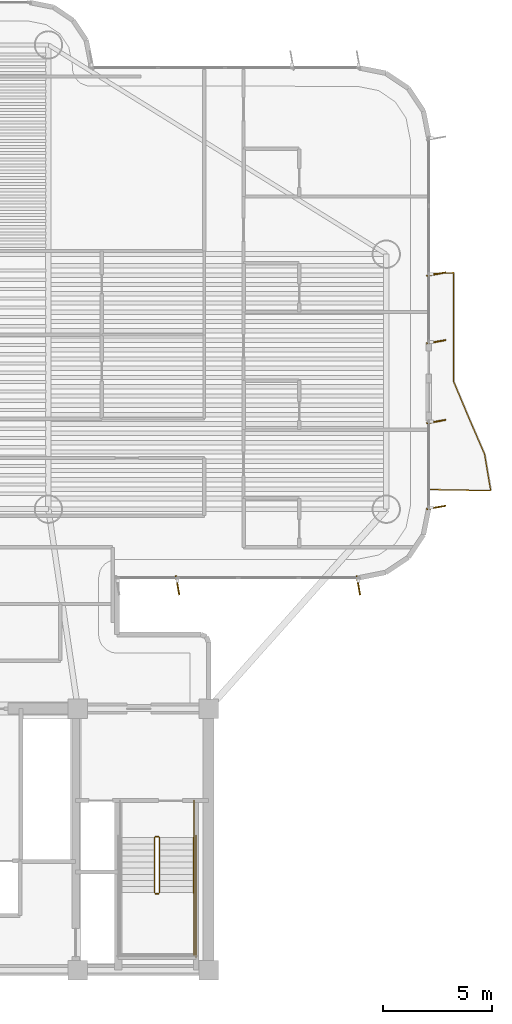
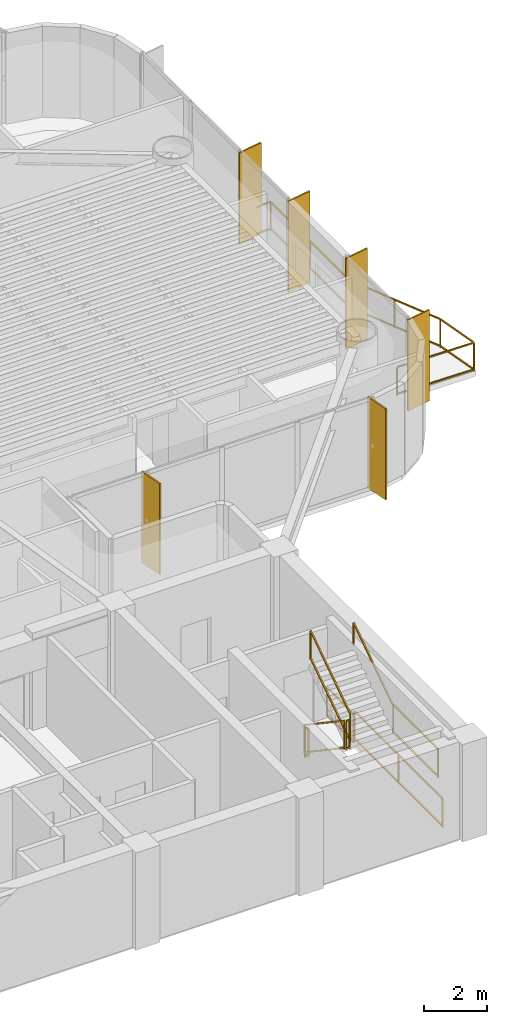
# One storey, part 16 of 17: 9 railings, 6 shading devices.
"""IFC4 building model written with IfcOpenShell, lengths in metres."""

from ifc_helpers import new_model, si_unit, direction, frame, origin, origin_2d, place, context, subcontext, project, spatial, rectangle, extrude, source, transform, mapped, material, layer, layer_set, material_profile, profile_set, type_object, element, save


model = new_model("IFC4")

# Units and contexts
model_context = context("Model", 3, precision=1e-05, world=origin(), true_north=direction((0.0, 1.0)))
body_context = subcontext(model_context, "Body", "Model", "MODEL_VIEW")
ifc_project = project(units=[si_unit("LENGTHUNIT", "METRE"), si_unit("AREAUNIT", "SQUARE_METRE"), si_unit("VOLUMEUNIT", "CUBIC_METRE"), si_unit("PLANEANGLEUNIT", "RADIAN"), si_unit("MASSUNIT", "GRAM", prefix="KILO")], contexts=[model_context])

# Site, building, storey
site_placement = place(None, origin())
site = spatial("IfcSite", under=ifc_project, at=site_placement, CompositionType="ELEMENT")
building_placement = place(site_placement, origin())
building = spatial("IfcBuilding", under=site, at=building_placement, Name="Brelvock Crest Care Tower", CompositionType="ELEMENT")
storey_placement = place(building_placement, frame((0.0, 0.0, 127.6201171875)))
storey = spatial("IfcBuildingStorey", under=building, at=storey_placement, Name="L32", CompositionType="ELEMENT", Elevation=127.6201171875)

# Railings
ifc_material_1 = material(Name="Dark Glass Double Glazed Low-E", Category="glass")
ifc_layer_1 = layer(ifc_material_1, 0.06005859375, Name="RL-BAL1")
ifc_layer_set_1 = layer_set([ifc_layer_1], Name="Dark Glass Double Glazed Low-E")
railing_type_1 = type_object("IfcRailingType", Name="RL-BAL1", PredefinedType="BALUSTRADE", material=ifc_layer_set_1)
railing_1_placement = place(storey_placement, frame((58.139892578125, 28.050048828125, 0.00390625)))
element("IfcRailing", 1, at=railing_1_placement, inside=storey, type_object=railing_type_1, Name="L32 Safety Balustrade WB-E", PredefinedType="BALUSTRADE", context=body_context, shape_type="SweptSolid", body=[
    extrude(rectangle(XDim=0.048095703125, YDim=0.048095703125, at=origin_2d()), frame((0.001953125, 0.0, 1.09619140625), z_axis=(0.999840293507, -0.017871415134, 0.0), x_axis=(0.017871415134, 0.999840293507, 0.0)), (0.0, 0.0, 1.0), 2.79638671875),
    extrude(rectangle(XDim=0.048095703125, YDim=0.048095703125, at=origin_2d()), frame((0.001953125, 0.0, 0.054931640625), z_axis=(0.999840293507, -0.017871415134, 0.0), x_axis=(0.017871415134, 0.999840293507, 0.0)), (0.0, 0.0, 1.0), 2.79638671875),
    extrude(rectangle(XDim=0.048095703125, YDim=0.048095703125, at=origin_2d()), frame((2.7998046875, -0.048095703125, 1.09619140625), z_axis=(-0.165125179616, 0.986272617006, 0.0), x_axis=(-0.986272617006, -0.165125179616, 0.0)), (0.0, 0.0, 1.0), 1.68603515625),
    extrude(rectangle(XDim=0.048095703125, YDim=0.048095703125, at=origin_2d()), frame((2.7998046875, -0.048095703125, 0.054931640625), z_axis=(-0.165125179616, 0.986272617006, 0.0), x_axis=(-0.986272617006, -0.165125179616, 0.0)), (0.0, 0.0, 1.0), 1.68603515625),
    extrude(rectangle(XDim=0.048095703125, YDim=0.048095703125, at=origin_2d()), frame((2.520263671875, 1.61865234375, 1.09619140625), z_axis=(-0.39727539454, 0.917699439301, 0.0), x_axis=(-0.917699439301, -0.39727539454, 0.0)), (0.0, 0.0, 1.0), 1.81201171875),
    extrude(rectangle(XDim=0.048095703125, YDim=0.048095703125, at=origin_2d()), frame((2.520263671875, 1.61865234375, 0.054931640625), z_axis=(-0.39727539454, 0.917699439301, 0.0), x_axis=(-0.917699439301, -0.39727539454, 0.0)), (0.0, 0.0, 1.0), 1.81201171875),
    extrude(rectangle(XDim=0.048095703125, YDim=0.048095703125, at=origin_2d()), frame((1.798828125, 3.28515625, 1.09619140625), z_axis=(-0.386963805718, 0.922094904586, 0.0), x_axis=(-0.922094904586, -0.386963805718, 0.0)), (0.0, 0.0, 1.0), 1.803466796875),
    extrude(rectangle(XDim=0.048095703125, YDim=0.048095703125, at=origin_2d()), frame((1.798828125, 3.28515625, 0.054931640625), z_axis=(-0.386963805718, 0.922094904586, 0.0), x_axis=(-0.922094904586, -0.386963805718, 0.0)), (0.0, 0.0, 1.0), 1.803466796875),
    extrude(rectangle(XDim=0.048095703125, YDim=0.048095703125, at=origin_2d()), frame((1.10009765625, 4.951904296875, 1.09619140625), z_axis=(0.0, 1.0, 0.0), x_axis=(-1.0, 0.0, 0.0)), (0.0, 0.0, 1.0), 4.99609375),
    extrude(rectangle(XDim=0.048095703125, YDim=0.048095703125, at=origin_2d()), frame((1.10009765625, 4.951904296875, 0.054931640625), z_axis=(0.0, 1.0, 0.0), x_axis=(-1.0, 0.0, 0.0)), (0.0, 0.0, 1.0), 4.99609375),
    extrude(rectangle(XDim=0.048095703125, YDim=0.048095703125, at=origin_2d()), frame((1.09814453125, 9.949951171875, 1.09619140625), z_axis=(-0.998966710972, -0.045447886318, 0.0), x_axis=(0.045447886318, -0.998966710972, 0.0)), (0.0, 0.0, 1.0), 1.09716796875),
    extrude(rectangle(XDim=0.048095703125, YDim=0.048095703125, at=origin_2d()), frame((1.09814453125, 9.949951171875, 0.054931640625), z_axis=(-0.998966710972, -0.045447886318, 0.0), x_axis=(0.045447886318, -0.998966710972, 0.0)), (0.0, 0.0, 1.0), 1.09716796875),
    extrude(rectangle(XDim=0.0419921875, YDim=0.0419921875, at=origin_2d()), origin(), (0.0, 0.0, 1.0), 1.070068359375),
    extrude(rectangle(XDim=0.0419921875, YDim=0.0419921875, at=origin_2d()), frame((2.800048828125, -0.050048828125, 0.0)), (0.0, 0.0, 1.0), 1.070068359375),
    extrude(rectangle(XDim=0.0419921875, YDim=0.0419921875, at=origin_2d()), frame((2.52099609375, 1.61669921875, 0.0)), (0.0, 0.0, 1.0), 1.070068359375),
    extrude(rectangle(XDim=0.0419921875, YDim=0.0419921875, at=origin_2d()), frame((1.799560546875, 3.283203125, 0.0)), (0.0, 0.0, 1.0), 1.070068359375),
    extrude(rectangle(XDim=0.0419921875, YDim=0.0419921875, at=origin_2d()), frame((1.10009765625, 4.949951171875, 0.0)), (0.0, 0.0, 1.0), 1.070068359375),
    extrude(rectangle(XDim=0.0419921875, YDim=0.0419921875, at=origin_2d()), frame((1.10009765625, 7.449951171875, 0.0)), (0.0, 0.0, 1.0), 1.070068359375),
    extrude(rectangle(XDim=0.0419921875, YDim=0.0419921875, at=origin_2d()), frame((1.10009765625, 9.949951171875, 0.0)), (0.0, 0.0, 1.0), 1.070068359375),
    extrude(rectangle(XDim=0.0419921875, YDim=0.0419921875, at=origin_2d()), frame((0.0, 9.89990234375, 0.0)), (0.0, 0.0, 1.0), 1.070068359375),
])
ifc_material_2 = material(Name="Steel Grade 350", Category="steel")
ifc_layer_2 = layer(ifc_material_2, 0.050048828125, Name="RL-STG1")
ifc_layer_set_2 = layer_set([ifc_layer_2], Name="Steel Grade 350")
railing_type_2 = type_object("IfcRailingType", Name="RL-STG1", PredefinedType="GUARDRAIL", material=ifc_layer_set_2)
railing_2_placement = place(storey_placement, frame((45.52001953125, 12.080078125, 0.18896484375)))
element("IfcRailing", 2, at=railing_2_placement, inside=storey, type_object=railing_type_2, Name="L32 ST-2 stair guard 1", PredefinedType="GUARDRAIL", context=body_context, shape_type="SweptSolid", body=[
    extrude(rectangle(XDim=0.048095703125, YDim=0.048095703125, at=origin_2d()), frame((0.0, -0.001708984375, 1.116943359375), z_axis=(0.0, -0.828861706735, 0.559453546873), x_axis=(1.0, 0.0, 0.0)), (0.0, 0.0, 1.0), 3.036376953125),
    extrude(rectangle(XDim=0.048095703125, YDim=0.048095703125, at=origin_2d()), frame((0.0, -0.001708984375, 0.05615234375), z_axis=(0.0, -0.828861706735, 0.559453546873), x_axis=(1.0, 0.0, 0.0)), (0.0, 0.0, 1.0), 3.036376953125),
    extrude(rectangle(XDim=0.0419921875, YDim=0.0419921875, at=origin_2d()), origin(), (0.0, 0.0, 1.0), 1.08984375),
    extrude(rectangle(XDim=0.0419921875, YDim=0.0419921875, at=origin_2d()), frame((0.0, -2.52001953125, 1.700927734375)), (0.0, 0.0, 1.0), 1.08984375),
])
railing_3_placement = place(storey_placement, frame((45.570068359375, 9.510009765625, 1.889892578125)))
element("IfcRailing", 3, at=railing_3_placement, inside=storey, type_object=railing_type_2, Name="L32 ST-2 stair guard 2", PredefinedType="GUARDRAIL", context=body_context, shape_type="SweptSolid", body=[
    extrude(rectangle(XDim=0.048095703125, YDim=0.048095703125, at=origin_2d()), frame((0.001953125, 0.0, 1.11572265625), z_axis=(1.0, 0.0, 0.0), x_axis=(0.0, 1.0, 0.0)), (0.0, 0.0, 1.0), 0.115966796875),
    extrude(rectangle(XDim=0.048095703125, YDim=0.048095703125, at=origin_2d()), frame((0.001953125, 0.0, 0.054931640625), z_axis=(1.0, 0.0, 0.0), x_axis=(0.0, 1.0, 0.0)), (0.0, 0.0, 1.0), 0.115966796875),
    extrude(rectangle(XDim=0.0419921875, YDim=0.0419921875, at=origin_2d()), origin(), (0.0, 0.0, 1.0), 1.08984375),
    extrude(rectangle(XDim=0.0419921875, YDim=0.0419921875, at=origin_2d()), frame((0.119873046875, 0.0, 0.0)), (0.0, 0.0, 1.0), 1.08984375),
])
railing_4_placement = place(storey_placement, frame((47.320068359375, 9.56005859375, 1.889892578125)))
element("IfcRailing", 4, at=railing_4_placement, inside=storey, type_object=railing_type_2, Name="L32 ST-2 stair guard 4", PredefinedType="GUARDRAIL", context=body_context, shape_type="SweptSolid", body=[
    extrude(rectangle(XDim=0.048095703125, YDim=0.048095703125, at=origin_2d()), frame((0.0, -0.001953125, 1.11572265625), z_axis=(0.0, -1.0, 0.0), x_axis=(1.0, 0.0, 0.0)), (0.0, 0.0, 1.0), 2.856201171875),
    extrude(rectangle(XDim=0.048095703125, YDim=0.048095703125, at=origin_2d()), frame((0.0, -0.001953125, 0.054931640625), z_axis=(0.0, -1.0, 0.0), x_axis=(1.0, 0.0, 0.0)), (0.0, 0.0, 1.0), 2.856201171875),
    extrude(rectangle(XDim=0.0419921875, YDim=0.0419921875, at=origin_2d()), origin(), (0.0, 0.0, 1.0), 1.08984375),
    extrude(rectangle(XDim=0.0419921875, YDim=0.0419921875, at=origin_2d()), frame((0.0, -2.860107421875, 0.0)), (0.0, 0.0, 1.0), 1.08984375),
])
railing_5_placement = place(storey_placement, frame((45.739990234375, 9.56005859375, 2.078857421875)))
element("IfcRailing", 5, at=railing_5_placement, inside=storey, type_object=railing_type_2, Name="L32 ST-2 stair guard 6", PredefinedType="GUARDRAIL", context=body_context, shape_type="SweptSolid", body=[
    extrude(rectangle(XDim=0.048095703125, YDim=0.048095703125, at=origin_2d()), frame((0.0, 0.001708984375, 1.116943359375), z_axis=(0.0, 0.828861706735, 0.559453546873), x_axis=(-1.0, 0.0, 0.0)), (0.0, 0.0, 1.0), 3.036376953125),
    extrude(rectangle(XDim=0.048095703125, YDim=0.048095703125, at=origin_2d()), frame((0.0, 0.001708984375, 0.05615234375), z_axis=(0.0, 0.828861706735, 0.559453546873), x_axis=(-1.0, 0.0, 0.0)), (0.0, 0.0, 1.0), 3.036376953125),
    extrude(rectangle(XDim=0.0419921875, YDim=0.0419921875, at=origin_2d()), origin(), (0.0, 0.0, 1.0), 1.08984375),
    extrude(rectangle(XDim=0.0419921875, YDim=0.0419921875, at=origin_2d()), frame((0.0, 2.52001953125, 1.700927734375)), (0.0, 0.0, 1.0), 1.08984375),
])
railing_6_placement = place(storey_placement, frame((45.570068359375, 12.1298828125, 0.0)))
element("IfcRailing", 6, at=railing_6_placement, inside=storey, type_object=railing_type_2, Name="L32 ST-2 stair guard 7", PredefinedType="GUARDRAIL", context=body_context, shape_type="SweptSolid", body=[
    extrude(rectangle(XDim=0.048095703125, YDim=0.048095703125, at=origin_2d()), frame((0.001953125, 0.0, 1.11572265625), z_axis=(1.0, 0.0, 0.0), x_axis=(0.0, 1.0, 0.0)), (0.0, 0.0, 1.0), 0.115966796875),
    extrude(rectangle(XDim=0.048095703125, YDim=0.048095703125, at=origin_2d()), frame((0.001953125, 0.0, 0.054931640625), z_axis=(1.0, 0.0, 0.0), x_axis=(0.0, 1.0, 0.0)), (0.0, 0.0, 1.0), 0.115966796875),
    extrude(rectangle(XDim=0.0419921875, YDim=0.0419921875, at=origin_2d()), origin(), (0.0, 0.0, 1.0), 1.08984375),
    extrude(rectangle(XDim=0.0419921875, YDim=0.0419921875, at=origin_2d()), frame((0.119873046875, 0.0, 0.0)), (0.0, 0.0, 1.0), 1.08984375),
])
railing_7_placement = place(storey_placement, frame((47.320068359375, 13.780029296875, 0.0)))
element("IfcRailing", 7, at=railing_7_placement, inside=storey, type_object=railing_type_2, Name="L32 ST-2 stair guard 9", PredefinedType="GUARDRAIL", context=body_context, shape_type="SweptSolid", body=[
    extrude(rectangle(XDim=0.048095703125, YDim=0.048095703125, at=origin_2d()), frame((0.0, -0.001953125, 1.11572265625), z_axis=(0.0, -1.0, 0.0), x_axis=(1.0, 0.0, 0.0)), (0.0, 0.0, 1.0), 1.696044921875),
    extrude(rectangle(XDim=0.048095703125, YDim=0.048095703125, at=origin_2d()), frame((0.0, -0.001953125, 0.054931640625), z_axis=(0.0, -1.0, 0.0), x_axis=(1.0, 0.0, 0.0)), (0.0, 0.0, 1.0), 1.696044921875),
    extrude(rectangle(XDim=0.0419921875, YDim=0.0419921875, at=origin_2d()), origin(), (0.0, 0.0, 1.0), 1.08984375),
    extrude(rectangle(XDim=0.0419921875, YDim=0.0419921875, at=origin_2d()), frame((0.0, -1.699951171875, 0.0)), (0.0, 0.0, 1.0), 1.08984375),
])
railing_8_placement = place(storey_placement, frame((47.419921875, 12.179931640625, 0.0)))
element("IfcRailing", 8, at=railing_8_placement, inside=storey, type_object=railing_type_2, Name="L32 ST-2 stair guard 11", PredefinedType="GUARDRAIL", context=body_context, shape_type="SweptSolid", body=[
    extrude(rectangle(XDim=0.048095703125, YDim=0.048095703125, at=origin_2d()), frame((0.0, -0.001953125, 1.11572265625), z_axis=(0.0, -1.0, 0.0), x_axis=(1.0, 0.0, 0.0)), (0.0, 0.0, 1.0), 5.575927734375),
    extrude(rectangle(XDim=0.048095703125, YDim=0.048095703125, at=origin_2d()), frame((0.0, -0.001953125, 0.054931640625), z_axis=(0.0, -1.0, 0.0), x_axis=(1.0, 0.0, 0.0)), (0.0, 0.0, 1.0), 5.575927734375),
    extrude(rectangle(XDim=0.0419921875, YDim=0.0419921875, at=origin_2d()), origin(), (0.0, 0.0, 1.0), 1.08984375),
    extrude(rectangle(XDim=0.0419921875, YDim=0.0419921875, at=origin_2d()), frame((0.0, -2.7900390625, 0.0)), (0.0, 0.0, 1.0), 1.08984375),
    extrude(rectangle(XDim=0.0419921875, YDim=0.0419921875, at=origin_2d()), frame((0.0, -5.579833984375, 0.0)), (0.0, 0.0, 1.0), 1.08984375),
])
ifc_layer_3 = layer(ifc_material_2, 0.048095703125, Name="RL-STH1")
ifc_layer_set_3 = layer_set([ifc_layer_3], Name="Steel Grade 350")
railing_type_3 = type_object("IfcRailingType", Name="RL-STH1", PredefinedType="HANDRAIL", material=ifc_layer_set_3)
railing_9_placement = place(storey_placement, frame((47.320068359375, 9.56005859375, 2.078857421875)))
element("IfcRailing", 9, at=railing_9_placement, inside=storey, type_object=railing_type_3, Name="L32 ST-2 stair handrail 2", PredefinedType="HANDRAIL", context=body_context, shape_type="SweptSolid", body=[
    extrude(rectangle(XDim=0.048095703125, YDim=0.048095703125, at=origin_2d()), frame((0.0, 0.001708984375, 0.876953125), z_axis=(0.0, 0.828861706735, 0.559453546873), x_axis=(-1.0, 0.0, 0.0)), (0.0, 0.0, 1.0), 3.036376953125),
    extrude(rectangle(XDim=0.0419921875, YDim=0.0419921875, at=origin_2d()), origin(), (0.0, 0.0, 1.0), 0.849853515625),
    extrude(rectangle(XDim=0.0419921875, YDim=0.0419921875, at=origin_2d()), frame((0.0, 2.52001953125, 1.700927734375)), (0.0, 0.0, 1.0), 0.849853515625),
])

# Shading devices
ifc_material_3 = material(Name="Aluminium 6063-T6", Category="aluminium")
ifc_material_profile = material_profile(ifc_material_3, rectangle(XDim=0.054931640625, YDim=0.89990234375, at=origin_2d()), Name="FIN55x900")
ifc_profile_set = profile_set([ifc_material_profile], Name="Aluminium 6063-T6")
shading_device_type = type_object("IfcShadingDeviceType", Name="SHD-FIN1", PredefinedType="USERDEFINED", material=ifc_profile_set)
shared_shape = source(origin(), body_context, "Body", "SweptSolid", [
    extrude(rectangle(XDim=0.054931640625, YDim=0.89990234375, at=origin_2d()), origin(), (0.0, 0.0, 1.0), 3.52978515625),
])
for number, where, z_axis, x_axis, name in (
    (10, (58.43994140625, 37.933349609375, 0.0), (0.0, 0.0, 1.0), (0.173648177667, -0.984807753012, 0.0), "L32 Vertical Sunshade Fin E39A-03"),
    (11, (58.43994140625, 34.830078125, 0.0), (0.0, 0.0, 1.0), (0.173648177667, -0.984807753012, 0.0), "L32 Vertical Sunshade Fin E39A-04"),
    (12, (58.43994140625, 31.169921875, 0.0), (0.0, 0.0, 1.0), (0.173648177667, -0.984807753012, 0.0), "L32 Vertical Sunshade Fin E39B-01"),
    (13, (58.43994140625, 27.22998046875, 0.0), (0.0, 0.0, 1.0), (0.173648177667, -0.984807753012, 0.0), "L32 Vertical Sunshade Fin E39B-02"),
    (14, (54.8701171875, 23.659912109375, 0.0), (0.0, 0.0, 1.0), (-0.984807753012, -0.173648177667, 0.0), "L32 Vertical Sunshade Fin E44-01"),
    (15, (46.574951171875, 23.659912109375, 0.0), (0.0, 0.0, 1.0), (-0.984807753012, -0.173648177667, 0.0), "L32 Vertical Sunshade Fin E44-04"),
):
    element("IfcShadingDevice", number, at=place(storey_placement, frame(where, z_axis=z_axis, x_axis=x_axis)), inside=storey, type_object=shading_device_type, Name=name, ObjectType="FIN", PredefinedType="USERDEFINED", context=body_context, shape_type="MappedRepresentation", body=[
        mapped(shared_shape, transform((0.0, 0.0, 0.0), x_axis=(1.0, 0.0, 0.0), y_axis=(0.0, 1.0, 0.0), z_axis=(0.0, 0.0, 1.0), scale=1.0)),
    ])

save(model, "model.ifc")
